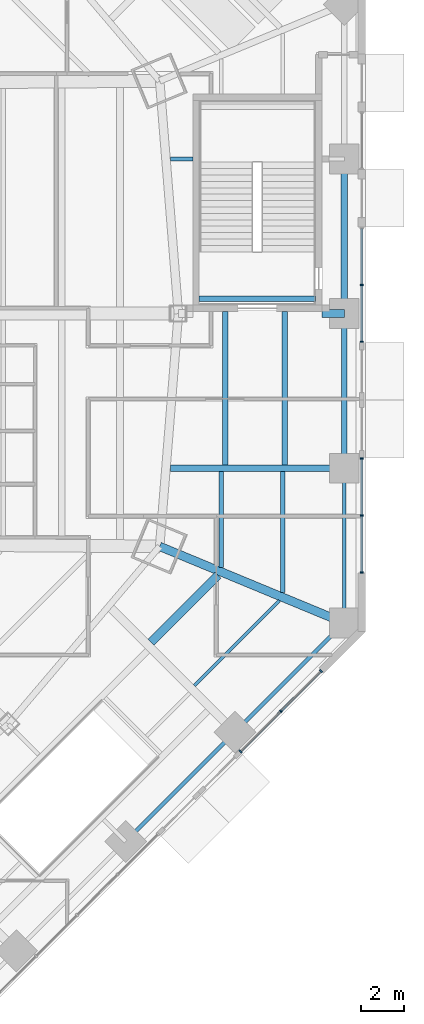
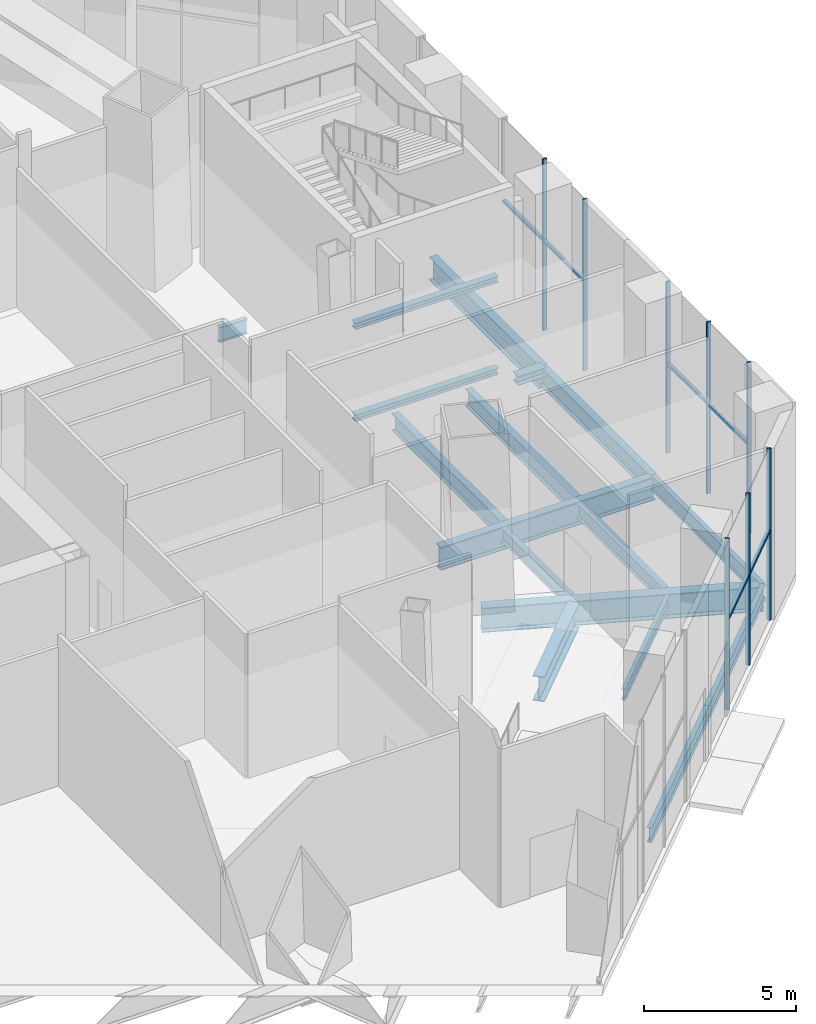
# One storey, part 12 of 35: 16 beams, 15 members, 3 elements without a shape of their own.
"""IFC4 building model written with IfcOpenShell, lengths in metres."""

from ifc_helpers import new_model, si_unit, direction, frame, origin, origin_2d, place, context, subcontext, project, spatial, rectangle, i_section, extrude, source, transform, mapped, material, material_profile, profile_set, type_object, type_shapes, element, aggregate, save


model = new_model("IFC4")

# Units and contexts
model_context = context("Model", 3, precision=1e-05, world=origin(), true_north=direction((0.0, 1.0)))
body_context = subcontext(model_context, "Body", "Model", "MODEL_VIEW")
ifc_project = project(units=[si_unit("LENGTHUNIT", "METRE"), si_unit("AREAUNIT", "SQUARE_METRE"), si_unit("VOLUMEUNIT", "CUBIC_METRE"), si_unit("PLANEANGLEUNIT", "RADIAN"), si_unit("MASSUNIT", "GRAM", prefix="KILO")], contexts=[model_context])

# Site, building, storey
site_placement = place(None, origin())
site = spatial("IfcSite", under=ifc_project, at=site_placement, CompositionType="ELEMENT")
building_placement = place(site_placement, origin())
building = spatial("IfcBuilding", under=site, at=building_placement, Name="Mashrafa Tower", CompositionType="ELEMENT")
storey_placement = place(building_placement, origin())
storey = spatial("IfcBuildingStorey", under=building, at=storey_placement, Name="L00", CompositionType="ELEMENT", Elevation=0.0)

# Beams
ifc_material_1 = material(Name="Steel ASTM A992", Category="steel")
ifc_material_profile_1 = material_profile(ifc_material_1, i_section(OverallWidth=0.15234375, OverallDepth=0.449462890625, WebThickness=0.007568359375, FlangeThickness=0.0107421875, FilletRadius=0.01025390625, at=origin_2d()), Name="W18X35")
ifc_profile_set_1 = profile_set([ifc_material_profile_1], Name="Steel ASTM A992")
beam_type_1 = type_object("IfcBeamType", Name="Beam W18X35", PredefinedType="BEAM", material=ifc_profile_set_1)
beam_1_placement = place(storey_placement, frame((31.96142578125, -13.4560546875, -0.52490234375), z_axis=(-0.707106781187, -0.707106781187, 0.0), x_axis=(0.707106781187, -0.707106781187, 0.0)))
element("IfcBeam", 1, at=beam_1_placement, inside=storey, type_object=beam_type_1, Name="Floor beam L00 102", PredefinedType="BEAM", context=body_context, shape_type="SweptSolid", body=[
    extrude(i_section(OverallWidth=0.15234375, OverallDepth=0.449462890625, WebThickness=0.007568359375, FlangeThickness=0.0107421875, FilletRadius=0.01025390625, at=origin_2d()), origin(), (0.0, 0.0, 1.0), 5.6357421875),
])
ifc_material_2 = material(Name="Steel ASTM A992", Category="steel")
ifc_material_profile_2 = material_profile(ifc_material_2, i_section(OverallWidth=0.209228515625, OverallDepth=0.533447265625, WebThickness=0.01025390625, FlangeThickness=0.015625, FilletRadius=0.012939453125, at=origin_2d()), Name="W21X62")
ifc_profile_set_2 = profile_set([ifc_material_profile_2], Name="Steel ASTM A992")
beam_type_2 = type_object("IfcBeamType", Name="Beam W21X62", PredefinedType="BEAM", material=ifc_profile_set_2)
beam_2_placement = place(storey_placement, frame((29.22998046875, -7.40234375, -0.566650390625), z_axis=(0.0, -1.0, 0.0), x_axis=(1.0, 0.0, 0.0)))
element("IfcBeam", 2, at=beam_2_placement, inside=storey, type_object=beam_type_2, Name="Floor beam L00 099", PredefinedType="BEAM", context=body_context, shape_type="SweptSolid", body=[
    extrude(i_section(OverallWidth=0.209228515625, OverallDepth=0.533447265625, WebThickness=0.01025390625, FlangeThickness=0.015625, FilletRadius=0.012939453125, at=origin_2d()), origin(), (0.0, 0.0, 1.0), 4.488037109375),
])
ifc_material_3 = material(Name="Steel ASTM A992", Category="steel")
ifc_material_profile_3 = material_profile(ifc_material_3, i_section(OverallWidth=0.177978515625, OverallDepth=0.599365234375, WebThickness=0.010009765625, FlangeThickness=0.012939453125, FilletRadius=0.012939453125, at=origin_2d()), Name="W24X55")
ifc_profile_set_3 = profile_set([ifc_material_profile_3], Name="Steel ASTM A992")
beam_type_3 = type_object("IfcBeamType", Name="Beam W24X55", PredefinedType="BEAM", material=ifc_profile_set_3)
beam_3_placement = place(storey_placement, frame((24.748779296875, -24.748779296875, -0.599609375), z_axis=(0.707106781187, 0.707106781187, 0.0), x_axis=(-0.707106781187, 0.707106781187, 0.0)))
element("IfcBeam", 3, at=beam_3_placement, inside=storey, type_object=beam_type_3, Name="Podium edge beam L00 131", PredefinedType="BEAM", context=body_context, shape_type="SweptSolid", body=[
    extrude(i_section(OverallWidth=0.177978515625, OverallDepth=0.599365234375, WebThickness=0.010009765625, FlangeThickness=0.012939453125, FilletRadius=0.012939453125, at=origin_2d()), origin(), (0.0, 0.0, 1.0), 7.248779296875),
])
beam_4_placement = place(storey_placement, frame((29.87451171875, -19.623046875, -0.599609375), z_axis=(0.707106781187, 0.707106781187, 0.0), x_axis=(-0.707106781187, 0.707106781187, 0.0)))
element("IfcBeam", 4, at=beam_4_placement, inside=storey, type_object=beam_type_3, Name="Podium edge beam L00 133", PredefinedType="BEAM", context=body_context, shape_type="SweptSolid", body=[
    extrude(i_section(OverallWidth=0.177978515625, OverallDepth=0.599365234375, WebThickness=0.010009765625, FlangeThickness=0.012939453125, FilletRadius=0.012939453125, at=origin_2d()), origin(), (0.0, 0.0, 1.0), 7.24853515625),
])
beam_5_placement = place(storey_placement, frame((35.0, -14.49755859375, -0.599609375), z_axis=(0.0, 1.0, 0.0), x_axis=(-1.0, 0.0, 0.0)))
element("IfcBeam", 5, at=beam_5_placement, inside=storey, type_object=beam_type_3, Name="Podium edge beam L00 135", PredefinedType="BEAM", context=body_context, shape_type="SweptSolid", body=[
    extrude(i_section(OverallWidth=0.177978515625, OverallDepth=0.599365234375, WebThickness=0.010009765625, FlangeThickness=0.012939453125, FilletRadius=0.012939453125, at=origin_2d()), origin(), (0.0, 0.0, 1.0), 7.248779296875),
])
beam_6_placement = place(storey_placement, frame((26.841064453125, 7.248779296875, -0.599609375), z_axis=(1.0, 0.0, 0.0), x_axis=(0.0, 1.0, 0.0)))
element("IfcBeam", 6, at=beam_6_placement, inside=storey, type_object=beam_type_3, Name="Podium radial beam L00 177", PredefinedType="BEAM", context=body_context, shape_type="SweptSolid", body=[
    extrude(i_section(OverallWidth=0.177978515625, OverallDepth=0.599365234375, WebThickness=0.010009765625, FlangeThickness=0.012939453125, FilletRadius=0.012939453125, at=origin_2d()), origin(), (0.0, 0.0, 1.0), 1.058837890625),
])
ifc_material_4 = material(Name="Steel ASTM A992", Category="steel")
ifc_material_profile_4 = material_profile(ifc_material_4, i_section(OverallWidth=0.227783203125, OverallDepth=0.60205078125, WebThickness=0.010498046875, FlangeThickness=0.014892578125, FilletRadius=0.012939453125, at=origin_2d()), Name="W24X68")
ifc_profile_set_4 = profile_set([ifc_material_profile_4], Name="Steel ASTM A992")
beam_type_4 = type_object("IfcBeamType", Name="Beam W24X68", PredefinedType="BEAM", material=ifc_profile_set_4)
beam_7_placement = place(storey_placement, frame((32.114990234375, -7.40234375, -0.60107421875), z_axis=(0.0, -1.0, 0.0), x_axis=(1.0, 0.0, 0.0)))
element("IfcBeam", 7, at=beam_7_placement, inside=storey, type_object=beam_type_4, Name="Floor beam L00 103", PredefinedType="BEAM", context=body_context, shape_type="SweptSolid", body=[
    extrude(i_section(OverallWidth=0.227783203125, OverallDepth=0.60205078125, WebThickness=0.010498046875, FlangeThickness=0.014892578125, FilletRadius=0.012939453125, at=origin_2d()), origin(), (0.0, 0.0, 1.0), 5.682861328125),
])
ifc_material_5 = material(Name="Steel ASTM A992", Category="steel")
ifc_material_profile_5 = material_profile(ifc_material_5, i_section(OverallWidth=0.256591796875, OverallDepth=0.693359375, WebThickness=0.014404296875, FlangeThickness=0.023681640625, FilletRadius=0.01513671875, at=origin_2d()), Name="W27X114")
ifc_profile_set_5 = profile_set([ifc_material_profile_5], Name="Steel ASTM A992")
beam_type_5 = type_object("IfcBeamType", Name="Beam W27X114", PredefinedType="BEAM", material=ifc_profile_set_5)
beam_8_placement = place(storey_placement, frame((29.426513671875, 0.10009765625, -0.646728515625), z_axis=(0.0, -1.0, 0.0), x_axis=(1.0, 0.0, 0.0)))
element("IfcBeam", 8, at=beam_8_placement, inside=storey, type_object=beam_type_5, Name="Floor beam L00 101", PredefinedType="BEAM", context=body_context, shape_type="SweptSolid", body=[
    extrude(i_section(OverallWidth=0.256591796875, OverallDepth=0.693359375, WebThickness=0.014404296875, FlangeThickness=0.023681640625, FilletRadius=0.01513671875, at=origin_2d()), origin(), (0.0, 0.0, 1.0), 7.195068359375),
])
ifc_material_6 = material(Name="Steel ASTM A992", Category="steel")
ifc_material_profile_6 = material_profile(ifc_material_6, i_section(OverallWidth=0.25390625, OverallDepth=0.67822265625, WebThickness=0.01171875, FlangeThickness=0.016357421875, FilletRadius=0.01513671875, at=origin_2d()), Name="W27X84")
ifc_profile_set_6 = profile_set([ifc_material_profile_6], Name="Steel ASTM A992")
beam_type_6 = type_object("IfcBeamType", Name="Beam W27X84", PredefinedType="BEAM", material=ifc_profile_set_6)
beam_9_placement = place(storey_placement, frame((32.21337890625, 0.10009765625, -0.63916015625), z_axis=(0.0, -1.0, 0.0), x_axis=(1.0, 0.0, 0.0)))
element("IfcBeam", 9, at=beam_9_placement, inside=storey, type_object=beam_type_6, Name="Floor beam L00 105", PredefinedType="BEAM", context=body_context, shape_type="SweptSolid", body=[
    extrude(i_section(OverallWidth=0.25390625, OverallDepth=0.67822265625, WebThickness=0.01171875, FlangeThickness=0.016357421875, FilletRadius=0.01513671875, at=origin_2d()), origin(), (0.0, 0.0, 1.0), 7.195068359375),
])
ifc_material_7 = material(Name="Steel ASTM A992", Category="steel")
ifc_material_profile_7 = material_profile(ifc_material_7, i_section(OverallWidth=0.2666015625, OverallDepth=0.75439453125, WebThickness=0.01318359375, FlangeThickness=0.01708984375, FilletRadius=0.0166015625, at=origin_2d()), Name="W30X99")
ifc_profile_set_7 = profile_set([ifc_material_profile_7], Name="Steel ASTM A992")
beam_type_7 = type_object("IfcBeamType", Name="Beam W30X99", PredefinedType="BEAM", material=ifc_profile_set_7)
beam_10_placement = place(storey_placement, frame((35.0, -7.248779296875, -0.67724609375), z_axis=(0.0, 1.0, 0.0), x_axis=(-1.0, 0.0, 0.0)))
element("IfcBeam", 10, at=beam_10_placement, inside=storey, type_object=beam_type_7, Name="Podium edge beam L00 136", PredefinedType="BEAM", context=body_context, shape_type="SweptSolid", body=[
    extrude(i_section(OverallWidth=0.2666015625, OverallDepth=0.75439453125, WebThickness=0.01318359375, FlangeThickness=0.01708984375, FilletRadius=0.0166015625, at=origin_2d()), origin(), (0.0, 0.0, 1.0), 7.248779296875),
])
ifc_material_8 = material(Name="Steel ASTM A992", Category="steel")
ifc_material_profile_8 = material_profile(ifc_material_8, i_section(OverallWidth=0.3046875, OverallDepth=0.911865234375, WebThickness=0.015869140625, FlangeThickness=0.02392578125, FilletRadius=0.01904296875, at=origin_2d()), Name="W36X150")
ifc_profile_set_8 = profile_set([ifc_material_profile_8], Name="Steel ASTM A992")
beam_type_8 = type_object("IfcBeamType", Name="Beam W36X150", PredefinedType="BEAM", material=ifc_profile_set_8)
beam_11_placement = place(storey_placement, frame((35.0, 0.0, -0.755859375), z_axis=(0.0, 1.0, 0.0), x_axis=(-1.0, 0.0, 0.0)))
element("IfcBeam", 11, at=beam_11_placement, inside=storey, type_object=beam_type_8, Name="Podium edge beam L00 137", PredefinedType="BEAM", context=body_context, shape_type="SweptSolid", body=[
    extrude(i_section(OverallWidth=0.3046875, OverallDepth=0.911865234375, WebThickness=0.015869140625, FlangeThickness=0.02392578125, FilletRadius=0.01904296875, at=origin_2d()), origin(), (0.0, 0.0, 1.0), 7.248779296875),
])
ifc_material_9 = material(Name="Steel ASTM A992", Category="steel")
ifc_material_profile_9 = material_profile(ifc_material_9, i_section(OverallWidth=0.307373046875, OverallDepth=0.927001953125, WebThickness=0.01953125, FlangeThickness=0.031982421875, FilletRadius=0.01904296875, at=origin_2d()), Name="W36X194")
ifc_profile_set_9 = profile_set([ifc_material_profile_9], Name="Steel ASTM A992")
beam_type_9 = type_object("IfcBeamType", Name="Beam W36X194", PredefinedType="BEAM", material=ifc_profile_set_9)
beam_12_placement = place(storey_placement, frame((26.841064453125, -7.248779296875, -0.763671875), z_axis=(1.0, 0.0, 0.0), x_axis=(0.0, 1.0, 0.0)))
element("IfcBeam", 12, at=beam_12_placement, inside=storey, type_object=beam_type_9, Name="Podium radial beam L00 176", PredefinedType="BEAM", context=body_context, shape_type="SweptSolid", body=[
    extrude(i_section(OverallWidth=0.307373046875, OverallDepth=0.927001953125, WebThickness=0.01953125, FlangeThickness=0.031982421875, FilletRadius=0.01904296875, at=origin_2d()), origin(), (0.0, 0.0, 1.0), 8.158935546875),
])
ifc_material_10 = material(Name="Steel ASTM A992", Category="steel")
ifc_material_profile_10 = material_profile(ifc_material_10, i_section(OverallWidth=0.4013671875, OverallDepth=0.98291015625, WebThickness=0.0166015625, FlangeThickness=0.027099609375, FilletRadius=0.0126953125, at=origin_2d()), Name="W40X199")
ifc_profile_set_10 = profile_set([ifc_material_profile_10], Name="Steel ASTM A992")
beam_type_10 = type_object("IfcBeamType", Name="Beam W40X199", PredefinedType="BEAM", material=ifc_profile_set_10)
beam_13_placement = place(storey_placement, frame((26.344970703125, -10.91259765625, -0.79150390625), z_axis=(0.923882158446, -0.382677092737, 0.0), x_axis=(0.382677092737, 0.923882158446, 0.0)))
element("IfcBeam", 13, at=beam_13_placement, inside=storey, type_object=beam_type_10, Name="Podium radial beam L00 174", PredefinedType="BEAM", context=body_context, shape_type="SweptSolid", body=[
    extrude(i_section(OverallWidth=0.4013671875, OverallDepth=0.98291015625, WebThickness=0.0166015625, FlangeThickness=0.027099609375, FilletRadius=0.0126953125, at=origin_2d()), origin(), (0.0, 0.0, 1.0), 9.3681640625),
])
ifc_material_11 = material(Name="Steel ASTM A992", Category="steel")
ifc_material_profile_11 = material_profile(ifc_material_11, i_section(OverallWidth=0.4013671875, OverallDepth=1.010986328125, WebThickness=0.023681640625, FlangeThickness=0.0419921875, FilletRadius=0.02001953125, at=origin_2d()), Name="W40X297")
ifc_profile_set_11 = profile_set([ifc_material_profile_11], Name="Steel ASTM A992")
beam_type_11 = type_object("IfcBeamType", Name="Beam W40X297", PredefinedType="BEAM", material=ifc_profile_set_11)
beam_14_placement = place(storey_placement, frame((29.076416015625, -12.260986328125, -0.805419921875), z_axis=(-0.707106781187, -0.707106781187, 0.0), x_axis=(0.707106781187, -0.707106781187, 0.0)))
element("IfcBeam", 14, at=beam_14_placement, inside=storey, type_object=beam_type_11, Name="Floor beam L00 098 part 1", PredefinedType="BEAM", context=body_context, shape_type="SweptSolid", body=[
    extrude(i_section(OverallWidth=0.4013671875, OverallDepth=1.010986328125, WebThickness=0.023681640625, FlangeThickness=0.0419921875, FilletRadius=0.02001953125, at=origin_2d()), origin(), (0.0, 0.0, 1.0), 4.44091796875),
])
ifc_material_12 = material(Name="Steel ASTM A992", Category="steel")
ifc_material_profile_12 = material_profile(ifc_material_12, i_section(OverallWidth=0.25390625, OverallDepth=0.25390625, WebThickness=0.008544921875, FlangeThickness=0.01416015625, FilletRadius=0.010009765625, at=origin_2d()), Name="W10X49")
ifc_profile_set_12 = profile_set([ifc_material_profile_12], Name="Steel ASTM A992")
beam_type_12 = type_object("IfcBeamType", Name="Hoistway beam W10X49", PredefinedType="BEAM", material=ifc_profile_set_12)
for number, where, z_axis, x_axis, name in (
    (15, (28.199951171875, 0.699951171875, -0.427001953125), (1.0, 0.0, 0.0), (0.0, 1.0, 0.0), "Stair P1 landing beam L00"),
    (16, (28.199951171875, 0.699951171875, 3.27294921875), (1.0, 0.0, 0.0), (0.0, 1.0, 0.0), "Stair P1 landing beam L00"),
):
    element("IfcBeam", number, at=place(storey_placement, frame(where, z_axis=z_axis, x_axis=x_axis)), inside=storey, type_object=beam_type_12, Name=name, PredefinedType="BEAM", context=body_context, shape_type="SweptSolid", body=[
        extrude(i_section(OverallWidth=0.25390625, OverallDepth=0.25390625, WebThickness=0.008544921875, FlangeThickness=0.01416015625, FilletRadius=0.010009765625, at=origin_2d()), origin(), (0.0, 0.0, 1.0), 5.449951171875),
    ])

# Member
ifc_material_13 = material(Name="Steel ASTM A992", Category="steel")
ifc_material_profile_13 = material_profile(ifc_material_13, i_section(OverallWidth=0.368408203125, OverallDepth=0.355712890625, WebThickness=0.01123046875, FlangeThickness=0.01806640625, FilletRadius=0.01513671875, at=origin_2d()), Name="W14X90")
ifc_profile_set_13 = profile_set([ifc_material_profile_13], Name="Steel ASTM A992")
member_type_1 = type_object("IfcMemberType", Name="Tie strut W14X90", PredefinedType="STRUT", material=ifc_profile_set_13)
shared_shape_1 = source(origin(), body_context, "Body", "SweptSolid", [
    extrude(i_section(OverallWidth=0.368408203125, OverallDepth=0.355712890625, WebThickness=0.01123046875, FlangeThickness=0.01806640625, FilletRadius=0.01513671875, at=origin_2d()), origin(), (0.0, 0.0, 1.0), 1.050048828125),
])
type_shapes(member_type_1, [shared_shape_1])
member_1_placement = place(storey_placement, frame((33.949951171875, 0.0, -0.477783203125), z_axis=(1.0, 0.0, 0.0), x_axis=(0.0, 1.0, 0.0)))
element("IfcMember", 17, at=member_1_placement, inside=storey, type_object=member_type_1, Name="Tie strut L00 179", PredefinedType="STRUT", context=body_context, shape_type="MappedRepresentation", body=[
    mapped(shared_shape_1, transform((0.0, 0.0, 0.0))),
])

# Curtain wall, members
ifc_material_14 = material(Name="Unitised aluminium curtain wall", Category="aluminium")
curtain_wall_type = type_object("IfcCurtainWallType", Name="Podium storefront CW-P 150 deep", PredefinedType="NOTDEFINED", material=ifc_material_14)
curtain_wall_1_placement = place(storey_placement, origin())
curtain_wall_1 = element("IfcCurtainWall", 18, at=curtain_wall_1_placement, inside=storey, type_object=curtain_wall_type, Name="Podium storefront L00 east part 1", PredefinedType="NOTDEFINED")
ifc_material_15 = material(Name="Extruded aluminium mullion", Category="aluminium")
ifc_material_profile_14 = material_profile(ifc_material_15, rectangle(XDim=0.14990234375, YDim=0.06494140625, at=origin_2d()), Name="Mullion 65x150")
ifc_profile_set_14 = profile_set([ifc_material_profile_14], Name="Extruded aluminium mullion")
member_type_2 = type_object("IfcMemberType", Name="Mullion CW-P 65 x 150", PredefinedType="MULLION", material=ifc_profile_set_14)
shared_shape_2 = source(origin(), body_context, "Body", "SweptSolid", [
    extrude(rectangle(XDim=0.14990234375, YDim=0.06494140625, at=origin_2d()), origin(), (0.0, 0.0, 1.0), 6.89990234375),
])
type_shapes(member_type_2, [shared_shape_2])
member_2_placement = place(storey_placement, frame((35.824951171875, -12.134033203125, 0.0), z_axis=(0.0, 0.0, 1.0), x_axis=(-1.0, 0.0, 0.0)))
member_2 = element("IfcMember", 19, at=member_2_placement, type_object=member_type_2, Name="CW-P mullion 1", PredefinedType="MULLION", context=body_context, shape_type="MappedRepresentation", body=[
    mapped(shared_shape_2, transform((0.0, 0.0, 0.0))),
])
member_3_placement = place(storey_placement, frame((35.824951171875, -9.462890625, 0.0), z_axis=(0.0, 0.0, 1.0), x_axis=(-1.0, 0.0, 0.0)))
member_3 = element("IfcMember", 20, at=member_3_placement, type_object=member_type_2, Name="CW-P mullion 2", PredefinedType="MULLION", context=body_context, shape_type="MappedRepresentation", body=[
    mapped(shared_shape_2, transform((0.0, 0.0, 0.0))),
])
member_4_placement = place(storey_placement, frame((35.824951171875, -6.791748046875, 0.0), z_axis=(0.0, 0.0, 1.0), x_axis=(-1.0, 0.0, 0.0)))
member_4 = element("IfcMember", 21, at=member_4_placement, type_object=member_type_2, Name="CW-P mullion 3", PredefinedType="MULLION", context=body_context, shape_type="MappedRepresentation", body=[
    mapped(shared_shape_2, transform((0.0, 0.0, 0.0))),
])

curtain_wall_2_placement = place(storey_placement, origin())
curtain_wall_2 = element("IfcCurtainWall", 22, at=curtain_wall_2_placement, inside=storey, type_object=curtain_wall_type, Name="Podium storefront L00 east part 2", PredefinedType="NOTDEFINED")
member_5_placement = place(storey_placement, frame((35.824951171875, -1.3193359375, 0.0), z_axis=(0.0, 0.0, 1.0), x_axis=(-1.0, 0.0, 0.0)))
member_5 = element("IfcMember", 23, at=member_5_placement, type_object=member_type_2, Name="CW-P mullion 1", PredefinedType="MULLION", context=body_context, shape_type="MappedRepresentation", body=[
    mapped(shared_shape_2, transform((0.0, 0.0, 0.0))),
])
member_6_placement = place(storey_placement, frame((35.824951171875, 1.351806640625, 0.0), z_axis=(0.0, 0.0, 1.0), x_axis=(-1.0, 0.0, 0.0)))
member_6 = element("IfcMember", 24, at=member_6_placement, type_object=member_type_2, Name="CW-P mullion 2", PredefinedType="MULLION", context=body_context, shape_type="MappedRepresentation", body=[
    mapped(shared_shape_2, transform((0.0, 0.0, 0.0))),
])

curtain_wall_3_placement = place(storey_placement, origin())
curtain_wall_3 = element("IfcCurtainWall", 25, at=curtain_wall_3_placement, inside=storey, type_object=curtain_wall_type, Name="Podium storefront L00 south-east part 2", PredefinedType="NOTDEFINED")
member_7_placement = place(storey_placement, frame((30.134521484375, -20.529541015625, 0.0), z_axis=(0.0, 0.0, 1.0), x_axis=(-0.707106781187, 0.707106781187, 0.0)))
member_7 = element("IfcMember", 26, at=member_7_placement, type_object=member_type_2, Name="CW-P mullion 1", PredefinedType="MULLION", context=body_context, shape_type="MappedRepresentation", body=[
    mapped(shared_shape_2, transform((0.0, 0.0, 0.0))),
])
member_8_placement = place(storey_placement, frame((32.0234375, -18.640869140625, 0.0), z_axis=(0.0, 0.0, 1.0), x_axis=(-0.707106781187, 0.707106781187, 0.0)))
member_8 = element("IfcMember", 27, at=member_8_placement, type_object=member_type_2, Name="CW-P mullion 2", PredefinedType="MULLION", context=body_context, shape_type="MappedRepresentation", body=[
    mapped(shared_shape_2, transform((0.0, 0.0, 0.0))),
])
member_9_placement = place(storey_placement, frame((33.912109375, -16.751953125, 0.0), z_axis=(0.0, 0.0, 1.0), x_axis=(-0.707106781187, 0.707106781187, 0.0)))
member_9 = element("IfcMember", 28, at=member_9_placement, type_object=member_type_2, Name="CW-P mullion 3", PredefinedType="MULLION", context=body_context, shape_type="MappedRepresentation", body=[
    mapped(shared_shape_2, transform((0.0, 0.0, 0.0))),
])

# Member
ifc_material_16 = material(Name="Extruded aluminium transom", Category="aluminium")
ifc_material_profile_15 = material_profile(ifc_material_16, rectangle(XDim=0.1201171875, YDim=0.10009765625, at=origin_2d()), Name="Transom 100x120")
ifc_profile_set_15 = profile_set([ifc_material_profile_15], Name="Extruded aluminium transom")
member_type_3 = type_object("IfcMemberType", Name="Transom CW-P 100 x 120", PredefinedType="MULLION", material=ifc_profile_set_15)
shared_shape_3 = source(origin(), body_context, "Body", "SweptSolid", [
    extrude(rectangle(XDim=0.1201171875, YDim=0.10009765625, at=origin_2d()), origin(), (0.0, 0.0, 1.0), 2.606201171875),
])
type_shapes(member_type_3, [shared_shape_3])
member_10_placement = place(storey_placement, frame((35.824951171875, -12.1015625, 3.60009765625), z_axis=(0.0, 1.0, 0.0), x_axis=(-1.0, 0.0, 0.0)))
member_10 = element("IfcMember", 29, at=member_10_placement, type_object=member_type_3, Name="CW-P transom 1", PredefinedType="MULLION", context=body_context, shape_type="MappedRepresentation", body=[
    mapped(shared_shape_3, transform((0.0, 0.0, 0.0))),
])

member_11_placement = place(storey_placement, frame((35.824951171875, -9.430419921875, 3.60009765625), z_axis=(0.0, 1.0, 0.0), x_axis=(-1.0, 0.0, 0.0)))
member_11 = element("IfcMember", 30, at=member_11_placement, type_object=member_type_3, Name="CW-P transom 2", PredefinedType="MULLION", context=body_context, shape_type="MappedRepresentation", body=[
    mapped(shared_shape_3, transform((0.0, 0.0, 0.0))),
])

aggregate(curtain_wall_1, [member_2, member_3, member_4, member_10, member_11])

member_12_placement = place(storey_placement, frame((35.824951171875, -1.286865234375, 3.60009765625), z_axis=(0.0, 1.0, 0.0), x_axis=(-1.0, 0.0, 0.0)))
member_12 = element("IfcMember", 31, at=member_12_placement, type_object=member_type_3, Name="CW-P transom 1", PredefinedType="MULLION", context=body_context, shape_type="MappedRepresentation", body=[
    mapped(shared_shape_3, transform((0.0, 0.0, 0.0))),
])

member_13_placement = place(storey_placement, frame((35.824951171875, 1.38427734375, 3.60009765625), z_axis=(0.0, 1.0, 0.0), x_axis=(-1.0, 0.0, 0.0)))
member_13 = element("IfcMember", 32, at=member_13_placement, type_object=member_type_3, Name="CW-P transom 2", PredefinedType="MULLION", context=body_context, shape_type="MappedRepresentation", body=[
    mapped(shared_shape_3, transform((0.0, 0.0, 0.0))),
])

aggregate(curtain_wall_2, [member_5, member_6, member_12, member_13])

member_14_placement = place(storey_placement, frame((30.157470703125, -20.506591796875, 3.60009765625), z_axis=(0.707153617204, 0.707059942066, 0.0), x_axis=(-0.707059942066, 0.707153617204, 0.0)))
member_14 = element("IfcMember", 33, at=member_14_placement, type_object=member_type_3, Name="CW-P transom 1", PredefinedType="MULLION", context=body_context, shape_type="MappedRepresentation", body=[
    mapped(shared_shape_3, transform((0.0, 0.0, 0.0))),
])

member_15_placement = place(storey_placement, frame((32.04638671875, -18.617919921875, 3.60009765625), z_axis=(0.707059942066, 0.707153617204, 0.0), x_axis=(-0.707153617204, 0.707059942066, 0.0)))
member_15 = element("IfcMember", 34, at=member_15_placement, type_object=member_type_3, Name="CW-P transom 2", PredefinedType="MULLION", context=body_context, shape_type="MappedRepresentation", body=[
    mapped(shared_shape_3, transform((0.0, 0.0, 0.0))),
])

aggregate(curtain_wall_3, [member_7, member_8, member_9, member_14, member_15])

save(model, "model.ifc")
